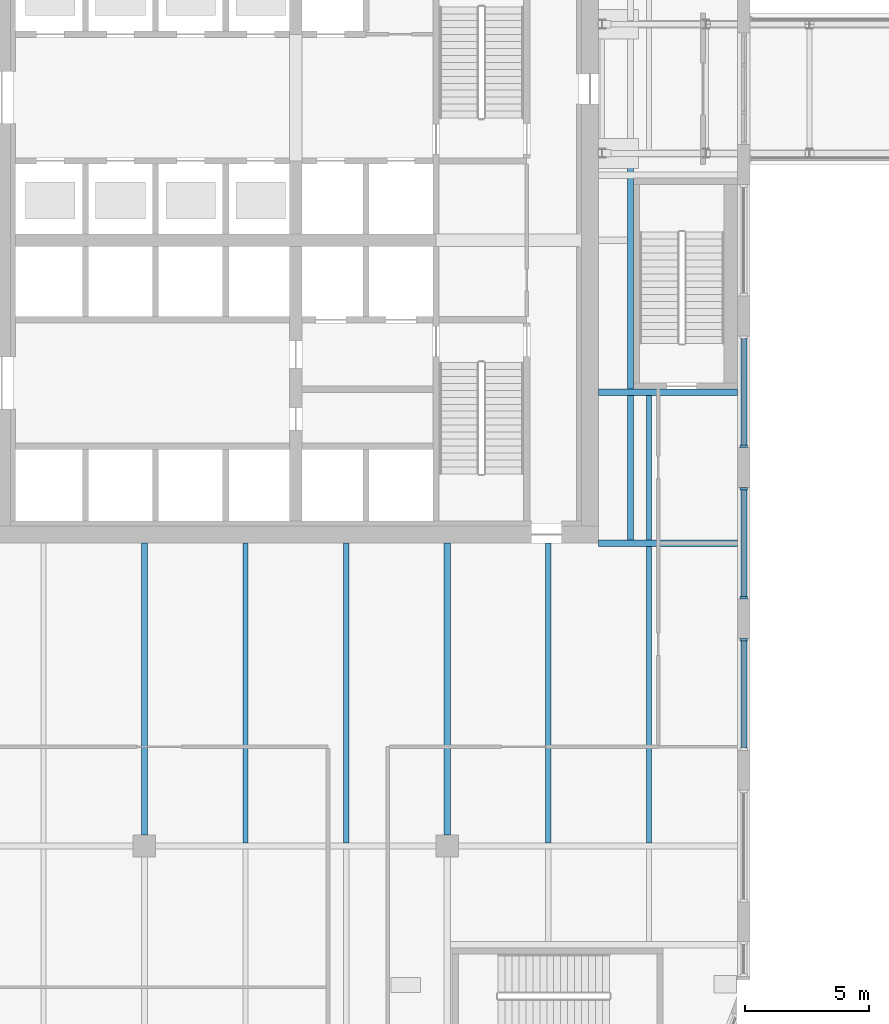
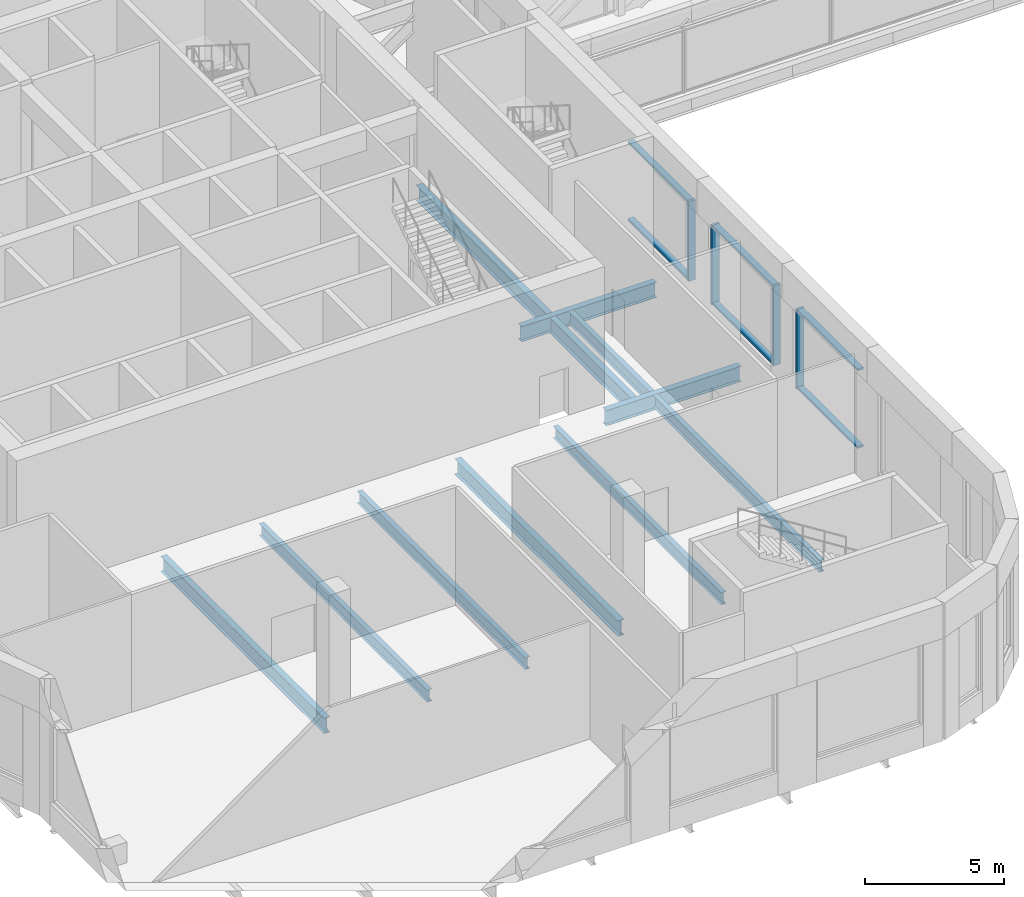
# One storey, part 4 of 36: 10 beams, 10 members, 3 elements without a shape of their own.
"""IFC4 building model written with IfcOpenShell, lengths in metres."""

from ifc_helpers import new_model, si_unit, direction, frame, origin, origin_2d, place, context, subcontext, project, spatial, rectangle, i_section, extrude, material, material_profile, profile_set, type_object, element, aggregate, save


model = new_model("IFC4")

# Units and contexts
model_context = context("Model", 3, precision=1e-05, world=origin(), true_north=direction((0.0, 1.0)))
body_context = subcontext(model_context, "Body", "Model", "MODEL_VIEW")
ifc_project = project(units=[si_unit("LENGTHUNIT", "METRE"), si_unit("AREAUNIT", "SQUARE_METRE"), si_unit("VOLUMEUNIT", "CUBIC_METRE"), si_unit("PLANEANGLEUNIT", "RADIAN"), si_unit("MASSUNIT", "GRAM", prefix="KILO")], contexts=[model_context])

# Site, building, storey
site_placement = place(None, origin())
site = spatial("IfcSite", under=ifc_project, at=site_placement, CompositionType="ELEMENT")
building_placement = place(site_placement, origin())
building = spatial("IfcBuilding", under=site, at=building_placement, Name="Tessera Gate Towers", CompositionType="ELEMENT")
storey_placement = place(building_placement, frame((0.0, 0.0, 106.60009765625)))
storey = spatial("IfcBuildingStorey", under=building, at=storey_placement, Name="L26", CompositionType="ELEMENT", Elevation=106.60009765625)

# Beams
ifc_material_1 = material(Name="Steel 350W", Category="steel")
ifc_material_profile_1 = material_profile(ifc_material_1, i_section(OverallWidth=0.2529296875, OverallDepth=0.677978515625, WebThickness=0.01171875, FlangeThickness=0.016357421875, at=origin_2d()), Name="W690x125")
ifc_profile_set_1 = profile_set([ifc_material_profile_1], Name="Steel 350W")
beam_type_1 = type_object("IfcBeamType", Name="FLOOR GIRDER W690x125", PredefinedType="BEAM", material=ifc_profile_set_1)
beam_1_placement = place(storey_placement, frame((54.90087890625, 24.39990234375, -0.589111328125), z_axis=(1.0, 0.0, 0.0), x_axis=(0.0, 1.0, 0.0)))
element("IfcBeam", 1, at=beam_1_placement, inside=storey, type_object=beam_type_1, Name="T1-GD-L26-3407", PredefinedType="BEAM", context=body_context, shape_type="SweptSolid", body=[
    extrude(i_section(OverallWidth=0.2529296875, OverallDepth=0.677978515625, WebThickness=0.01171875, FlangeThickness=0.016357421875, at=origin_2d()), origin(), (0.0, 0.0, 1.0), 5.60009765625),
])
for number, where, z_axis, x_axis, name in (
    (2, (36.60009765625, 12.64990234375, -0.589111328125), (0.0, 1.0, 0.0), (-1.0, 0.0, 0.0), "T1-GD-L26-3425"),
    (3, (48.800048828125, 12.64990234375, -0.589111328125), (0.0, 1.0, 0.0), (-1.0, 0.0, 0.0), "T1-GD-L26-3427"),
):
    element("IfcBeam", number, at=place(storey_placement, frame(where, z_axis=z_axis, x_axis=x_axis)), inside=storey, type_object=beam_type_1, Name=name, PredefinedType="BEAM", context=body_context, shape_type="SweptSolid", body=[
        extrude(i_section(OverallWidth=0.2529296875, OverallDepth=0.677978515625, WebThickness=0.01171875, FlangeThickness=0.016357421875, at=origin_2d()), origin(), (0.0, 0.0, 1.0), 11.75),
    ])
beam_2_placement = place(storey_placement, frame((54.89892578125, 30.47998046875, -0.589111328125), z_axis=(1.0, 0.0, 0.0), x_axis=(0.0, 1.0, 0.0)))
element("IfcBeam", 4, at=beam_2_placement, inside=storey, type_object=beam_type_1, Name="T1-GD-L26-3432", PredefinedType="BEAM", context=body_context, shape_type="SweptSolid", body=[
    extrude(i_section(OverallWidth=0.2529296875, OverallDepth=0.677978515625, WebThickness=0.01171875, FlangeThickness=0.016357421875, at=origin_2d()), origin(), (0.0, 0.0, 1.0), 5.60205078125),
])
beam_3_placement = place(storey_placement, frame((56.179931640625, 24.526611328125, -0.589111328125), z_axis=(0.0, 1.0, 0.0), x_axis=(-1.0, 0.0, 0.0)))
element("IfcBeam", 5, at=beam_3_placement, inside=storey, type_object=beam_type_1, Name="T1-GD-L26-3434", PredefinedType="BEAM", context=body_context, shape_type="SweptSolid", body=[
    extrude(i_section(OverallWidth=0.2529296875, OverallDepth=0.677978515625, WebThickness=0.01171875, FlangeThickness=0.016357421875, at=origin_2d()), origin(), (0.0, 0.0, 1.0), 15.42333984375),
])
ifc_material_2 = material(Name="Steel 350W", Category="steel")
ifc_material_profile_2 = material_profile(ifc_material_2, i_section(OverallWidth=0.208984375, OverallDepth=0.528076171875, WebThickness=0.009521484375, FlangeThickness=0.01318359375, at=origin_2d()), Name="W530x82")
ifc_profile_set_2 = profile_set([ifc_material_profile_2], Name="Steel 350W")
beam_type_2 = type_object("IfcBeamType", Name="FLOOR SECONDARY W530x82", PredefinedType="BEAM", material=ifc_profile_set_2)
for number, where, z_axis, x_axis, name in (
    (6, (40.666748046875, 12.326416015625, -0.51416015625), (0.0, 1.0, 0.0), (-1.0, 0.0, 0.0), "T1-BM-L26-3461"),
    (7, (44.7333984375, 12.326416015625, -0.51416015625), (0.0, 1.0, 0.0), (-1.0, 0.0, 0.0), "T1-BM-L26-3464"),
    (8, (52.86669921875, 12.326416015625, -0.51416015625), (0.0, 1.0, 0.0), (-1.0, 0.0, 0.0), "T1-BM-L26-3469"),
):
    element("IfcBeam", number, at=place(storey_placement, frame(where, z_axis=z_axis, x_axis=x_axis)), inside=storey, type_object=beam_type_2, Name=name, PredefinedType="BEAM", context=body_context, shape_type="SweptSolid", body=[
        extrude(i_section(OverallWidth=0.208984375, OverallDepth=0.528076171875, WebThickness=0.009521484375, FlangeThickness=0.01318359375, at=origin_2d()), origin(), (0.0, 0.0, 1.0), 12.073486328125),
    ])
beam_4_placement = place(storey_placement, frame((56.933349609375, 12.326416015625, -0.51416015625), z_axis=(0.0, 1.0, 0.0), x_axis=(-1.0, 0.0, 0.0)))
element("IfcBeam", 9, at=beam_4_placement, inside=storey, type_object=beam_type_2, Name="T1-BM-L26-3473", PredefinedType="BEAM", context=body_context, shape_type="SweptSolid", body=[
    extrude(i_section(OverallWidth=0.208984375, OverallDepth=0.528076171875, WebThickness=0.009521484375, FlangeThickness=0.01318359375, at=origin_2d()), origin(), (0.0, 0.0, 1.0), 11.947021484375),
])
beam_5_placement = place(storey_placement, frame((56.933349609375, 24.526611328125, -0.51416015625), z_axis=(0.0, 1.0, 0.0), x_axis=(-1.0, 0.0, 0.0)))
element("IfcBeam", 10, at=beam_5_placement, inside=storey, type_object=beam_type_2, Name="T1-BM-L26-3474", PredefinedType="BEAM", context=body_context, shape_type="SweptSolid", body=[
    extrude(i_section(OverallWidth=0.208984375, OverallDepth=0.528076171875, WebThickness=0.009521484375, FlangeThickness=0.01318359375, at=origin_2d()), origin(), (0.0, 0.0, 1.0), 5.826904296875),
])

# Curtain wall, member
ifc_material_3 = material(Name="Aluminium frame", Category="aluminium")
curtain_wall_type = type_object("IfcCurtainWallType", Name="CW-S3 amenity floor glazing", PredefinedType="NOTDEFINED", material=ifc_material_3)
curtain_wall_1_placement = place(storey_placement, origin())
curtain_wall_1 = element("IfcCurtainWall", 11, at=curtain_wall_1_placement, inside=storey, type_object=curtain_wall_type, Name="Curtain wall amenity floor glazing 0010", PredefinedType="NOTDEFINED")
ifc_material_4 = material(Name="Aluminium frame", Category="aluminium")
ifc_material_profile_3 = material_profile(ifc_material_4, rectangle(XDim=0.10009765625, YDim=0.300048828125, at=origin_2d()), Name="AL 100x300")
ifc_profile_set_3 = profile_set([ifc_material_profile_3], Name="Aluminium frame")
member_type_1 = type_object("IfcMemberType", Name="MU-S3 mullion 100x300", PredefinedType="MULLION", material=ifc_profile_set_3)
member_1_placement = place(storey_placement, frame((60.75, 20.5, 1.0), z_axis=(0.0, 0.0, 1.0), x_axis=(0.0, 1.0, 0.0)))
member_1 = element("IfcMember", 12, at=member_1_placement, type_object=member_type_1, Name="T1-CW3-0010 mullion 2", PredefinedType="MULLION", context=body_context, shape_type="SweptSolid", body=[
    extrude(rectangle(XDim=0.10009765625, YDim=0.300048828125, at=origin_2d()), origin(), (0.0, 0.0, 1.0), 3.5),
])

# Curtain wall, members
curtain_wall_2_placement = place(storey_placement, origin())
curtain_wall_2 = element("IfcCurtainWall", 13, at=curtain_wall_2_placement, inside=storey, type_object=curtain_wall_type, Name="Curtain wall amenity floor glazing 0011", PredefinedType="NOTDEFINED")
member_2_placement = place(storey_placement, frame((60.75, 22.199951171875, 1.0), z_axis=(0.0, 0.0, 1.0), x_axis=(0.0, 1.0, 0.0)))
member_2 = element("IfcMember", 14, at=member_2_placement, type_object=member_type_1, Name="T1-CW3-0011 mullion 1", PredefinedType="MULLION", context=body_context, shape_type="SweptSolid", body=[
    extrude(rectangle(XDim=0.10009765625, YDim=0.300048828125, at=origin_2d()), origin(), (0.0, 0.0, 1.0), 3.5),
])
member_3_placement = place(storey_placement, frame((60.75, 26.60009765625, 1.0), z_axis=(0.0, 0.0, 1.0), x_axis=(0.0, 1.0, 0.0)))
member_3 = element("IfcMember", 15, at=member_3_placement, type_object=member_type_1, Name="T1-CW3-0011 mullion 2", PredefinedType="MULLION", context=body_context, shape_type="SweptSolid", body=[
    extrude(rectangle(XDim=0.10009765625, YDim=0.300048828125, at=origin_2d()), origin(), (0.0, 0.0, 1.0), 3.5),
])

# Curtain wall, member
curtain_wall_3_placement = place(storey_placement, origin())
curtain_wall_3 = element("IfcCurtainWall", 16, at=curtain_wall_3_placement, inside=storey, type_object=curtain_wall_type, Name="Curtain wall amenity floor glazing 0012", PredefinedType="NOTDEFINED")
member_4_placement = place(storey_placement, frame((60.75, 28.300048828125, 1.0), z_axis=(0.0, 0.0, 1.0), x_axis=(0.0, 1.0, 0.0)))
member_4 = element("IfcMember", 17, at=member_4_placement, type_object=member_type_1, Name="T1-CW3-0012 mullion 1", PredefinedType="MULLION", context=body_context, shape_type="SweptSolid", body=[
    extrude(rectangle(XDim=0.10009765625, YDim=0.300048828125, at=origin_2d()), origin(), (0.0, 0.0, 1.0), 3.5),
])

# Member
ifc_material_5 = material(Name="Aluminium frame", Category="aluminium")
ifc_material_profile_4 = material_profile(ifc_material_5, rectangle(XDim=0.25, YDim=0.10009765625, at=origin_2d()), Name="AL 100x250")
ifc_profile_set_4 = profile_set([ifc_material_profile_4], Name="Aluminium frame")
member_type_2 = type_object("IfcMemberType", Name="TR-S3 transom 100x250", PredefinedType="USERDEFINED", material=ifc_profile_set_4)
member_5_placement = place(storey_placement, frame((60.75, 16.14990234375, 1.0498046875), z_axis=(0.0, 1.0, 0.0), x_axis=(-1.0, 0.0, 0.0)))
member_5 = element("IfcMember", 18, at=member_5_placement, type_object=member_type_2, Name="T1-CW3-0010 transom 1.1", ObjectType="TRANSOM", PredefinedType="USERDEFINED", context=body_context, shape_type="SweptSolid", body=[
    extrude(rectangle(XDim=0.25, YDim=0.10009765625, at=origin_2d()), origin(), (0.0, 0.0, 1.0), 4.300048828125),
])

member_6_placement = place(storey_placement, frame((60.75, 16.14990234375, 4.449951171875), z_axis=(0.0, 1.0, 0.0), x_axis=(-1.0, 0.0, 0.0)))
member_6 = element("IfcMember", 19, at=member_6_placement, type_object=member_type_2, Name="T1-CW3-0010 transom 1.2", ObjectType="TRANSOM", PredefinedType="USERDEFINED", context=body_context, shape_type="SweptSolid", body=[
    extrude(rectangle(XDim=0.25, YDim=0.10009765625, at=origin_2d()), origin(), (0.0, 0.0, 1.0), 4.300048828125),
])

aggregate(curtain_wall_1, [member_1, member_5, member_6])

member_7_placement = place(storey_placement, frame((60.75, 22.25, 1.0498046875), z_axis=(0.0, 1.0, 0.0), x_axis=(-1.0, 0.0, 0.0)))
member_7 = element("IfcMember", 20, at=member_7_placement, type_object=member_type_2, Name="T1-CW3-0011 transom 1.1", ObjectType="TRANSOM", PredefinedType="USERDEFINED", context=body_context, shape_type="SweptSolid", body=[
    extrude(rectangle(XDim=0.25, YDim=0.10009765625, at=origin_2d()), origin(), (0.0, 0.0, 1.0), 4.300048828125),
])

member_8_placement = place(storey_placement, frame((60.75, 22.25, 4.449951171875), z_axis=(0.0, 1.0, 0.0), x_axis=(-1.0, 0.0, 0.0)))
member_8 = element("IfcMember", 21, at=member_8_placement, type_object=member_type_2, Name="T1-CW3-0011 transom 1.2", ObjectType="TRANSOM", PredefinedType="USERDEFINED", context=body_context, shape_type="SweptSolid", body=[
    extrude(rectangle(XDim=0.25, YDim=0.10009765625, at=origin_2d()), origin(), (0.0, 0.0, 1.0), 4.300048828125),
])

aggregate(curtain_wall_2, [member_2, member_3, member_7, member_8])

member_9_placement = place(storey_placement, frame((60.75, 28.35009765625, 1.0498046875), z_axis=(0.0, 1.0, 0.0), x_axis=(-1.0, 0.0, 0.0)))
member_9 = element("IfcMember", 22, at=member_9_placement, type_object=member_type_2, Name="T1-CW3-0012 transom 1.1", ObjectType="TRANSOM", PredefinedType="USERDEFINED", context=body_context, shape_type="SweptSolid", body=[
    extrude(rectangle(XDim=0.25, YDim=0.10009765625, at=origin_2d()), origin(), (0.0, 0.0, 1.0), 4.2998046875),
])

member_10_placement = place(storey_placement, frame((60.75, 28.35009765625, 4.449951171875), z_axis=(0.0, 1.0, 0.0), x_axis=(-1.0, 0.0, 0.0)))
member_10 = element("IfcMember", 23, at=member_10_placement, type_object=member_type_2, Name="T1-CW3-0012 transom 1.2", ObjectType="TRANSOM", PredefinedType="USERDEFINED", context=body_context, shape_type="SweptSolid", body=[
    extrude(rectangle(XDim=0.25, YDim=0.10009765625, at=origin_2d()), origin(), (0.0, 0.0, 1.0), 4.2998046875),
])

aggregate(curtain_wall_3, [member_4, member_9, member_10])

save(model, "model.ifc")
